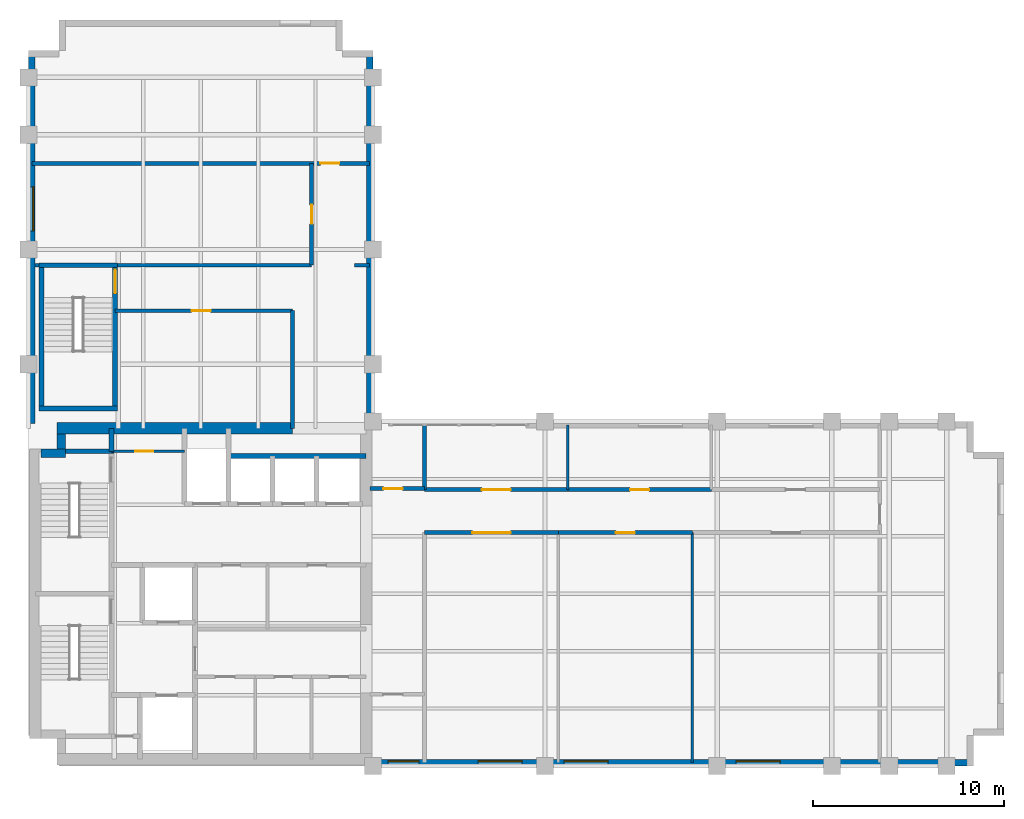
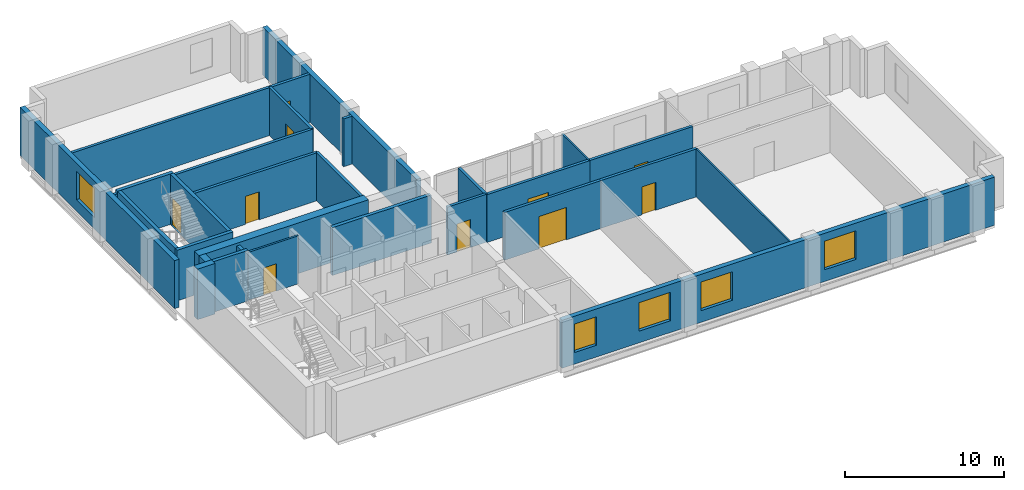
# One storey, part 5 of 7: 29 walls, 10 doors, 5 windows, 15 openings.
"""IFC4 building model written with IfcOpenShell, lengths in metres."""

import ifcopenshell
import ifcopenshell.guid

model = None  # the IFC model being written
_history = None  # IfcOwnerHistory: only IFC2X3 demands one
_inside = {}  # id of a spatial element -> (the spatial element, [elements in it])
_under = {}  # id of a project, library or spatial element -> (it, [spatial elements below it])
_declared = {}  # id of a project -> (the project, [libraries it declares])
_typed = {}  # id of a type object -> (the type object, [elements of that type])
_made_of = {}  # id of a material, layer set ... -> (it, [elements and type objects made of it])


def new_model(schema):
    """Start an empty IFC model of exactly this schema.

    Asked for "IFC4X3", IfcOpenShell would pick the latest addendum, in which some entities
    have other attributes; the version numbers below select the first issue.
    IFC2X3 requires an IfcOwnerHistory on every rooted entity: one is made here for all.
    """
    global model, _history
    if schema == "IFC4X3":
        model = ifcopenshell.file(schema_version=(4, 3, 0, 0))
    else:
        model = ifcopenshell.file(schema=schema)
    _inside.clear()
    _under.clear()
    _declared.clear()
    _typed.clear()
    _made_of.clear()
    _history = None
    if model.schema == "IFC2X3":
        org = make("IfcOrganization", Name="unknown")
        user = make(
            "IfcPersonAndOrganization",
            ThePerson=make("IfcPerson", FamilyName="unknown"),
            TheOrganization=org,
        )
        app = make(
            "IfcApplication",
            ApplicationDeveloper=org,
            Version="unknown",
            ApplicationFullName="unknown",
            ApplicationIdentifier="unknown",
        )
        _history = make(
            "IfcOwnerHistory",
            OwningUser=user,
            OwningApplication=app,
            ChangeAction="ADDED",
            CreationDate=0,
        )
    return model


def make(cls, **values):
    """One entity of the class cls with the attributes given. An attribute that is None is left unset."""
    return model.create_entity(
        cls, **{name: value for name, value in values.items() if value is not None}
    )


def rooted(cls, **values):
    """An entity with a GlobalId (a new one), such as an element, a storey or a relation."""
    return make(cls, GlobalId=ifcopenshell.guid.new(), OwnerHistory=_history, **values)


def si_unit(unit_type, name, prefix=None):
    """IfcSIUnit, for example si_unit("LENGTHUNIT", "METRE", prefix="MILLI")."""
    return make("IfcSIUnit", UnitType=unit_type, Prefix=prefix, Name=name)


def assignment(units):
    """IfcUnitAssignment: the units of a project."""
    return None if units is None else make("IfcUnitAssignment", Units=units)


def point(xyz):
    """IfcCartesianPoint."""
    return None if xyz is None else make("IfcCartesianPoint", Coordinates=xyz)


def direction(xyz):
    """IfcDirection."""
    return None if xyz is None else make("IfcDirection", DirectionRatios=xyz)


def frame(location, z_axis=None, x_axis=None):
    """IfcAxis2Placement3D, a coordinate frame: its origin and axes. An axis left out is left unset."""
    return make(
        "IfcAxis2Placement3D",
        Location=point(location),
        Axis=direction(z_axis),
        RefDirection=direction(x_axis),
    )


def frame_2d(location, x_axis=None):
    """IfcAxis2Placement2D, a coordinate frame in the plane: its origin and x axis."""
    return make(
        "IfcAxis2Placement2D", Location=point(location), RefDirection=direction(x_axis)
    )


def origin():
    """The frame at (0, 0, 0) with its axes left unset."""
    return frame((0.0, 0.0, 0.0))


def place(relative_to, where):
    """IfcLocalPlacement: puts the frame where relative to a parent placement (None: the world)."""
    return make(
        "IfcLocalPlacement", PlacementRelTo=relative_to, RelativePlacement=where
    )


def context(
    kind, dimensions, precision=None, world=None, true_north=None, identifier=None
):
    """IfcGeometricRepresentationContext, for example the 3D "Model" context."""
    return make(
        "IfcGeometricRepresentationContext",
        ContextIdentifier=identifier,
        ContextType=kind,
        CoordinateSpaceDimension=dimensions,
        Precision=precision,
        WorldCoordinateSystem=world,
        TrueNorth=true_north,
    )


def subcontext(parent, identifier, kind, view, scale=None):
    """IfcGeometricRepresentationSubContext, for example "Body" below "Model"."""
    return make(
        "IfcGeometricRepresentationSubContext",
        ContextIdentifier=identifier,
        ContextType=kind,
        ParentContext=parent,
        TargetScale=scale,
        TargetView=view,
    )


def project(units=None, contexts=None):
    """IfcProject with its units and contexts."""
    return rooted(
        "IfcProject",
        Name="project",
        RepresentationContexts=contexts,
        UnitsInContext=assignment(units),
    )


def spatial(cls, under=None, at=None, **own):
    """A site, building, storey or space (cls), placed at a placement, below another one or the project."""
    s = rooted(cls, ObjectPlacement=at, **own)
    if under is not None:
        _under.setdefault(under.id(), (under, []))[1].append(s)
    return s


def profile(cls, at=None, kind="AREA", **sizes):
    """A parametric profile (cls). Its sizes go by their IFC names, for example OverallWidth=200.0."""
    return make(cls, ProfileType=kind, Position=at, **sizes)


def rectangle(**sizes):
    """IfcRectangleProfileDef."""
    return profile("IfcRectangleProfileDef", **sizes)


def extrude(swept, where, along, depth):
    """IfcExtrudedAreaSolid: the profile swept, set in the frame where, extruded along a direction by depth."""
    return make(
        "IfcExtrudedAreaSolid",
        SweptArea=swept,
        Position=where,
        ExtrudedDirection=direction(along),
        Depth=depth,
    )


def shape(context_of_items, identifier, shape_type, items):
    """IfcShapeRepresentation: the items that make up one representation, for example the "Body"."""
    return make(
        "IfcShapeRepresentation",
        ContextOfItems=context_of_items,
        RepresentationIdentifier=identifier,
        RepresentationType=shape_type,
        Items=items,
    )


def material(Name=None, Category=None):
    """IfcMaterial."""
    return make("IfcMaterial", Name=Name, Category=Category)


def layer(
    of_material, thickness, ventilated=None, Name=None, Category=None, Priority=None
):
    """IfcMaterialLayer: one layer of a wall or slab, of a material (None: an air gap)."""
    return make(
        "IfcMaterialLayer",
        Material=of_material,
        LayerThickness=thickness,
        IsVentilated=ventilated,
        Name=Name,
        Category=Category,
        Priority=Priority,
    )


def layer_set(layers, Name=None):
    """IfcMaterialLayerSet."""
    return make("IfcMaterialLayerSet", MaterialLayers=layers, LayerSetName=Name)


def made_of(thing, what):
    """Note that an element or type object is made of a material, layer set ...; save() writes the relation."""
    if what is not None:
        _made_of.setdefault(what.id(), (what, []))[1].append(thing)
    return thing


def type_object(cls, material=None, **own):
    """A type object (cls), such as IfcWallType, which elements share."""
    return made_of(rooted(cls, **own), material)


def element(
    cls,
    number,
    at=None,
    inside=None,
    cuts=None,
    type_object=None,
    material=None,
    context=None,
    identifier="Body",
    shape_type=None,
    held_by="IfcProductDefinitionShape",
    body=None,
    shapes=None,
    **own,
):
    """One element of the class cls, such as IfcWall. Its Tag is "e" and its number.

    at: its placement. inside: the storey or other place that contains it. cuts: it is an
    opening in that element (IfcRelVoidsElement). A single representation is given by context,
    identifier, shape_type and body (its items); several are given by shapes. held_by: the class
    of the entity that holds the representations. save() writes the other relations.
    """
    e = rooted(cls, Tag="e%d" % number, ObjectPlacement=at, **own)
    if body is not None:
        shapes = [shape(context, identifier, shape_type, body)]
    if shapes is not None:
        e.Representation = make(held_by, Representations=shapes)
    if inside is not None:
        _inside.setdefault(inside.id(), (inside, []))[1].append(e)
    if cuts is not None:
        rooted(
            "IfcRelVoidsElement", RelatingBuildingElement=cuts, RelatedOpeningElement=e
        )
    if type_object is not None:
        _typed.setdefault(type_object.id(), (type_object, []))[1].append(e)
    return made_of(e, material)


def fill(opening, filler):
    """IfcRelFillsElement: the door or window that sits in an opening."""
    return rooted(
        "IfcRelFillsElement",
        RelatingOpeningElement=opening,
        RelatedBuildingElement=filler,
    )


def aggregate(whole, parts):
    """IfcRelAggregates: a whole, such as a stair, and the parts it consists of."""
    return rooted("IfcRelAggregates", RelatingObject=whole, RelatedObjects=parts)


def save(model, path):
    """Write the relations noted so far, then the file.

    IfcRelAggregates (storeys below a building ...), IfcRelContainedInSpatialStructure (elements
    in a storey), IfcRelDefinesByType, IfcRelAssociatesMaterial and IfcRelDeclares: one each for
    every whole, place, type object, material and project.
    """
    for whole, parts in _under.values():
        aggregate(whole, parts)
    for where, things in _inside.values():
        rooted(
            "IfcRelContainedInSpatialStructure",
            RelatedElements=things,
            RelatingStructure=where,
        )
    for kind, things in _typed.values():
        rooted("IfcRelDefinesByType", RelatedObjects=things, RelatingType=kind)
    for what, things in _made_of.values():
        rooted("IfcRelAssociatesMaterial", RelatedObjects=things, RelatingMaterial=what)
    for by, libraries in _declared.values():
        rooted("IfcRelDeclares", RelatingContext=by, RelatedDefinitions=libraries)
    model.write(path)


model = new_model("IFC4")

# Units and contexts
model_context = context("Model", 3, precision=1e-05, world=origin(), true_north=direction((0.0, 1.0)))
body_context = subcontext(model_context, "Body", "Model", "MODEL_VIEW")
ifc_project = project(units=[si_unit("LENGTHUNIT", "METRE"), si_unit("AREAUNIT", "SQUARE_METRE"), si_unit("VOLUMEUNIT", "CUBIC_METRE"), si_unit("PLANEANGLEUNIT", "RADIAN"), si_unit("MASSUNIT", "GRAM", prefix="KILO")], contexts=[model_context])

# Site, building, storey
site_placement = place(None, origin())
site = spatial("IfcSite", under=ifc_project, at=site_placement, CompositionType="ELEMENT")
building_placement = place(site_placement, origin())
building = spatial("IfcBuilding", under=site, at=building_placement, Name="Mawjdan Bourse Tower", CompositionType="ELEMENT")
storey_placement = place(building_placement, frame((0.0, 0.0, 203.39990234375)))
storey = spatial("IfcBuildingStorey", under=building, at=storey_placement, Name="L49", CompositionType="ELEMENT", Elevation=203.39990234375)

# Wall, openings, windows
ifc_material_1 = material(Name="Brick Masonry Buff", Category="masonry")
ifc_layer_1 = layer(ifc_material_1, 0.340087890625)
ifc_layer_set_1 = layer_set([ifc_layer_1], Name="Brick Masonry Buff")
wall_type_1 = type_object("IfcWallType", Name="WL-BRK-SPN-340", PredefinedType="STANDARD", material=ifc_layer_set_1)
wall_1_placement = place(storey_placement, frame((23.89990234375, 3.169921875, 0.0), z_axis=(0.0, 0.0, 1.0), x_axis=(1.0, 0.0, 0.0)))
wall_1 = element("IfcWall", 1, at=wall_1_placement, inside=storey, type_object=wall_type_1, Name="L49 Exterior Brick Wall 1", PredefinedType="STANDARD", context=body_context, shape_type="SweptSolid", body=[
    extrude(rectangle(XDim=31.5, YDim=0.340087890625, at=frame_2d((15.75, 0.0))), origin(), (0.0, 0.0, 1.0), 3.7001953125),
])
opening_1_placement = place(wall_1_placement, frame((5.60009765625, 0.0, 0.89990234375)))
opening_1 = element("IfcOpeningElement", 2, at=opening_1_placement, cuts=wall_1, Name="Opening W-L49-01", PredefinedType="OPENING", context=body_context, shape_type="SweptSolid", body=[
    extrude(rectangle(XDim=2.300048828125, YDim=2.199951171875, at=frame_2d((1.14990234375, 1.10009765625))), frame((0.0, 0.18017578125, 0.0), z_axis=(0.0, -1.0, 0.0), x_axis=(1.0, 0.0, 0.0)), (0.0, 0.0, 1.0), 0.360107421875),
])
opening_2_placement = place(wall_1_placement, frame((10.10009765625, 0.0, 0.89990234375)))
opening_2 = element("IfcOpeningElement", 3, at=opening_2_placement, cuts=wall_1, Name="Opening W-L49-02", PredefinedType="OPENING", context=body_context, shape_type="SweptSolid", body=[
    extrude(rectangle(XDim=2.300048828125, YDim=2.199951171875, at=frame_2d((1.14990234375, 1.10009765625))), frame((0.0, 0.18017578125, 0.0), z_axis=(0.0, -1.0, 0.0), x_axis=(1.0, 0.0, 0.0)), (0.0, 0.0, 1.0), 0.360107421875),
])
opening_3_placement = place(wall_1_placement, frame((19.10009765625, 0.0, 0.89990234375)))
opening_3 = element("IfcOpeningElement", 4, at=opening_3_placement, cuts=wall_1, Name="Opening W-L49-03", PredefinedType="OPENING", context=body_context, shape_type="SweptSolid", body=[
    extrude(rectangle(XDim=2.300048828125, YDim=2.199951171875, at=frame_2d((1.14990234375, 1.10009765625))), frame((0.0, 0.18017578125, 0.0), z_axis=(0.0, -1.0, 0.0), x_axis=(1.0, 0.0, 0.0)), (0.0, 0.0, 1.0), 0.360107421875),
])
opening_4_placement = place(wall_1_placement, frame((0.89990234375, 0.0, 0.89990234375)))
opening_4 = element("IfcOpeningElement", 5, at=opening_4_placement, cuts=wall_1, Name="Opening W-L49-08", PredefinedType="OPENING", context=body_context, shape_type="SweptSolid", body=[
    extrude(rectangle(XDim=1.60009765625, YDim=2.199951171875, at=frame_2d((0.800048828125, 1.10009765625))), frame((0.0, 0.18017578125, 0.0), z_axis=(0.0, -1.0, 0.0), x_axis=(1.0, 0.0, 0.0)), (0.0, 0.0, 1.0), 0.360107421875),
])
ifc_material_2 = material(Name="Solar-Control Clear Double Glazing", Category="glass")
window_type_1 = type_object("IfcWindowType", Name="WN-Z3-1600", PartitioningType="SINGLE_PANEL", PredefinedType="WINDOW", material=ifc_material_2)
window_1_placement = place(opening_4_placement, origin())
window_1 = element("IfcWindow", 6, at=window_1_placement, inside=storey, type_object=window_type_1, Name="L49 Deep-Set Masonry Window W-L49-08", OverallHeight=2.199951171875, OverallWidth=1.60009765625, PartitioningType="SINGLE_PANEL", PredefinedType="WINDOW", context=body_context, shape_type="SweptSolid", body=[
    extrude(rectangle(XDim=1.60009765625, YDim=2.199951171875, at=frame_2d((0.800048828125, 1.10009765625))), frame((0.0, 0.110107421875, 0.0), z_axis=(0.0, -1.0, 0.0), x_axis=(1.0, 0.0, 0.0)), (0.0, 0.0, 1.0), 0.06005859375),
])
fill(opening_4, window_1)
window_type_2 = type_object("IfcWindowType", Name="WN-Z3-2300", PartitioningType="SINGLE_PANEL", PredefinedType="WINDOW", material=ifc_material_2)
window_2_placement = place(opening_1_placement, origin())
window_2 = element("IfcWindow", 7, at=window_2_placement, inside=storey, type_object=window_type_2, Name="L49 Deep-Set Masonry Window W-L49-01", OverallHeight=2.199951171875, OverallWidth=2.300048828125, PartitioningType="SINGLE_PANEL", PredefinedType="WINDOW", context=body_context, shape_type="SweptSolid", body=[
    extrude(rectangle(XDim=2.300048828125, YDim=2.199951171875, at=frame_2d((1.14990234375, 1.10009765625))), frame((0.0, 0.110107421875, 0.0), z_axis=(0.0, -1.0, 0.0), x_axis=(1.0, 0.0, 0.0)), (0.0, 0.0, 1.0), 0.06005859375),
])
fill(opening_1, window_2)
window_3_placement = place(opening_2_placement, origin())
window_3 = element("IfcWindow", 8, at=window_3_placement, inside=storey, type_object=window_type_2, Name="L49 Deep-Set Masonry Window W-L49-02", OverallHeight=2.199951171875, OverallWidth=2.300048828125, PartitioningType="SINGLE_PANEL", PredefinedType="WINDOW", context=body_context, shape_type="SweptSolid", body=[
    extrude(rectangle(XDim=2.300048828125, YDim=2.199951171875, at=frame_2d((1.14990234375, 1.10009765625))), frame((0.0, 0.110107421875, 0.0), z_axis=(0.0, -1.0, 0.0), x_axis=(1.0, 0.0, 0.0)), (0.0, 0.0, 1.0), 0.06005859375),
])
fill(opening_2, window_3)
window_4_placement = place(opening_3_placement, origin())
window_4 = element("IfcWindow", 9, at=window_4_placement, inside=storey, type_object=window_type_2, Name="L49 Deep-Set Masonry Window W-L49-03", OverallHeight=2.199951171875, OverallWidth=2.300048828125, PartitioningType="SINGLE_PANEL", PredefinedType="WINDOW", context=body_context, shape_type="SweptSolid", body=[
    extrude(rectangle(XDim=2.300048828125, YDim=2.199951171875, at=frame_2d((1.14990234375, 1.10009765625))), frame((0.0, 0.110107421875, 0.0), z_axis=(0.0, -1.0, 0.0), x_axis=(1.0, 0.0, 0.0)), (0.0, 0.0, 1.0), 0.06005859375),
])
fill(opening_3, window_4)

# Wall
wall_2_placement = place(storey_placement, frame((23.830078125, 21.0, 0.0), z_axis=(0.0, 0.0, 1.0), x_axis=(0.0, 1.0, 0.0)))
element("IfcWall", 10, at=wall_2_placement, inside=storey, type_object=wall_type_1, Name="L49 Exterior Brick Wall 8", PredefinedType="STANDARD", context=body_context, shape_type="SweptSolid", body=[
    extrude(rectangle(XDim=19.39990234375, YDim=0.340087890625, at=frame_2d((9.699951171875, 0.0))), origin(), (0.0, 0.0, 1.0), 3.7001953125),
])

# Wall, opening, window
wall_3_placement = place(storey_placement, frame((6.169921875, 40.39990234375, 0.0), z_axis=(0.0, 0.0, 1.0), x_axis=(0.0, -1.0, 0.0)))
wall_3 = element("IfcWall", 11, at=wall_3_placement, inside=storey, type_object=wall_type_1, Name="L49 Exterior Brick Wall 14", PredefinedType="STANDARD", context=body_context, shape_type="SweptSolid", body=[
    extrude(rectangle(XDim=19.5, YDim=0.340087890625, at=frame_2d((9.75, 0.0))), origin(), (0.0, 0.0, 1.0), 3.7001953125),
])
opening_5_placement = place(wall_3_placement, frame((7.124755859375, 0.0, 0.89990234375)))
opening_5 = element("IfcOpeningElement", 12, at=opening_5_placement, cuts=wall_3, Name="Opening W-L49-10", PredefinedType="OPENING", context=body_context, shape_type="SweptSolid", body=[
    extrude(rectangle(XDim=2.300048828125, YDim=2.199951171875, at=frame_2d((1.14990234375, 1.10009765625))), frame((0.0, 0.18017578125, 0.0), z_axis=(0.0, -1.0, 0.0), x_axis=(1.0, 0.0, 0.0)), (0.0, 0.0, 1.0), 0.360107421875),
])
window_5_placement = place(opening_5_placement, origin())
window_5 = element("IfcWindow", 13, at=window_5_placement, inside=storey, type_object=window_type_2, Name="L49 Deep-Set Masonry Window W-L49-10", OverallHeight=2.199951171875, OverallWidth=2.300048828125, PartitioningType="SINGLE_PANEL", PredefinedType="WINDOW", context=body_context, shape_type="SweptSolid", body=[
    extrude(rectangle(XDim=2.300048828125, YDim=2.199951171875, at=frame_2d((1.14990234375, 1.10009765625))), frame((0.0, 0.110107421875, 0.0), z_axis=(0.0, -1.0, 0.0), x_axis=(1.0, 0.0, 0.0)), (0.0, 0.0, 1.0), 0.06005859375),
])
fill(opening_5, window_5)

# Wall, opening, door
ifc_material_3 = material(Name="Gypsum Fireboard Assembly")
ifc_layer_2 = layer(ifc_material_3, 0.199951171875)
ifc_layer_set_2 = layer_set([ifc_layer_2], Name="Gypsum Fireboard Assembly")
wall_type_2 = type_object("IfcWallType", Name="WL-CMP-200", PredefinedType="PARTITIONING", material=ifc_layer_set_2)
wall_4_placement = place(storey_placement, frame((23.85009765625, 17.5, 0.0), z_axis=(0.0, 0.0, 1.0), x_axis=(1.0, 0.0, 0.0)))
wall_4 = element("IfcWall", 14, at=wall_4_placement, inside=storey, type_object=wall_type_2, Name="L49 West North Pocket Wall", PredefinedType="PARTITIONING", context=body_context, shape_type="SweptSolid", body=[
    extrude(rectangle(XDim=2.849853515625, YDim=0.199951171875, at=frame_2d((1.4248046875, 0.0))), origin(), (0.0, 0.0, 1.0), 3.690185546875),
])
opening_6_placement = place(wall_4_placement, frame((0.699951171875, 0.0, 0.0)))
opening_6 = element("IfcOpeningElement", 15, at=opening_6_placement, cuts=wall_4, Name="Opening D-L49-21", PredefinedType="OPENING", context=body_context, shape_type="SweptSolid", body=[
    extrude(rectangle(XDim=1.0, YDim=2.14990234375, at=frame_2d((0.5, 1.074951171875))), frame((0.0, 0.10986328125, 0.0), z_axis=(0.0, -1.0, 0.0), x_axis=(1.0, 0.0, 0.0)), (0.0, 0.0, 1.0), 0.219970703125),
])
ifc_material_4 = material(Name="Hardwood Acoustic Leaf", Category="wood")
door_type_1 = type_object("IfcDoorType", Name="DR-OFC-1000", OperationType="NOTDEFINED", PredefinedType="DOOR", material=ifc_material_4)
door_1_placement = place(opening_6_placement, origin())
door_1 = element("IfcDoor", 16, at=door_1_placement, inside=storey, type_object=door_type_1, Name="L49 West North Pocket Door D-L49-21", OperationType="SINGLE_SWING_RIGHT", OverallHeight=2.14990234375, OverallWidth=1.0, PredefinedType="DOOR", context=body_context, shape_type="SweptSolid", body=[
    extrude(rectangle(XDim=1.0, YDim=2.14990234375, at=frame_2d((0.5, 1.074951171875))), frame((0.0, 0.02490234375, 0.0), z_axis=(0.0, -1.0, 0.0), x_axis=(1.0, 0.0, 0.0)), (0.0, 0.0, 1.0), 0.050048828125),
])
fill(opening_6, door_1)

# Wall
wall_5_placement = place(storey_placement, frame((26.699951171875, 17.449951171875, 0.0), z_axis=(0.0, 0.0, 1.0), x_axis=(0.0, 1.0, 0.0)))
element("IfcWall", 17, at=wall_5_placement, inside=storey, type_object=wall_type_2, Name="L49 Vestibule North East Wall", PredefinedType="PARTITIONING", context=body_context, shape_type="SweptSolid", body=[
    extrude(rectangle(XDim=3.3701171875, YDim=0.199951171875, at=frame_2d((1.68505859375, 0.0))), origin(), (0.0, 0.0, 1.0), 3.690185546875),
])

# Wall, opening, door
wall_6_placement = place(storey_placement, frame((26.699951171875, 15.199951171875, 0.0), z_axis=(0.0, 0.0, 1.0), x_axis=(1.0, 0.0, 0.0)))
wall_6 = element("IfcWall", 18, at=wall_6_placement, inside=storey, type_object=wall_type_2, Name="L49 Maritime & Energy Funds Hall Corridor Wall", PredefinedType="PARTITIONING", context=body_context, shape_type="SweptSolid", body=[
    extrude(rectangle(XDim=7.0, YDim=0.199951171875, at=frame_2d((3.5, 0.0))), origin(), (0.0, 0.0, 1.0), 3.690185546875),
])
opening_7_placement = place(wall_6_placement, frame((2.5, 0.0, 0.0)))
opening_7 = element("IfcOpeningElement", 19, at=opening_7_placement, cuts=wall_6, Name="Opening D-L49-22", PredefinedType="OPENING", context=body_context, shape_type="SweptSolid", body=[
    extrude(rectangle(XDim=2.0, YDim=2.5, at=frame_2d((1.0, 1.25))), frame((0.0, 0.10986328125, 0.0), z_axis=(0.0, -1.0, 0.0), x_axis=(1.0, 0.0, 0.0)), (0.0, 0.0, 1.0), 0.219970703125),
])
ifc_material_5 = material(Name="Acoustic Veneered Timber", Category="wood")
door_type_2 = type_object("IfcDoorType", Name="DR-ASM-2000", OperationType="DOUBLE_DOOR_SINGLE_SWING", PredefinedType="DOOR", material=ifc_material_5)
door_2_placement = place(opening_7_placement, origin())
door_2 = element("IfcDoor", 20, at=door_2_placement, inside=storey, type_object=door_type_2, Name="L49 Maritime & Energy Funds Hall Door D-L49-22", OperationType="DOUBLE_DOOR_SINGLE_SWING", OverallHeight=2.5, OverallWidth=2.0, PredefinedType="DOOR", context=body_context, shape_type="SweptSolid", body=[
    extrude(rectangle(XDim=2.0, YDim=2.5, at=frame_2d((1.0, 1.25))), frame((0.0, 0.02490234375, 0.0), z_axis=(0.0, -1.0, 0.0), x_axis=(1.0, 0.0, 0.0)), (0.0, 0.0, 1.0), 0.050048828125),
])
fill(opening_7, door_2)

wall_7_placement = place(storey_placement, frame((33.699951171875, 15.199951171875, 0.0), z_axis=(0.0, 0.0, 1.0), x_axis=(1.0, 0.0, 0.0)))
wall_7 = element("IfcWall", 21, at=wall_7_placement, inside=storey, type_object=wall_type_2, Name="L49 Executive Office Corridor Wall", PredefinedType="PARTITIONING", context=body_context, shape_type="SweptSolid", body=[
    extrude(rectangle(XDim=7.0, YDim=0.199951171875, at=frame_2d((3.5, 0.0))), origin(), (0.0, 0.0, 1.0), 3.690185546875),
])
opening_8_placement = place(wall_7_placement, frame((3.0, 0.0, 0.0)))
opening_8 = element("IfcOpeningElement", 22, at=opening_8_placement, cuts=wall_7, Name="Opening D-L49-23", PredefinedType="OPENING", context=body_context, shape_type="SweptSolid", body=[
    extrude(rectangle(XDim=1.0, YDim=2.14990234375, at=frame_2d((0.5, 1.074951171875))), frame((0.0, 0.10986328125, 0.0), z_axis=(0.0, -1.0, 0.0), x_axis=(1.0, 0.0, 0.0)), (0.0, 0.0, 1.0), 0.219970703125),
])
door_3_placement = place(opening_8_placement, origin())
door_3 = element("IfcDoor", 23, at=door_3_placement, inside=storey, type_object=door_type_1, Name="L49 Executive Office Door D-L49-23", OperationType="SINGLE_SWING_LEFT", OverallHeight=2.14990234375, OverallWidth=1.0, PredefinedType="DOOR", context=body_context, shape_type="SweptSolid", body=[
    extrude(rectangle(XDim=1.0, YDim=2.14990234375, at=frame_2d((0.5, 1.074951171875))), frame((0.0, 0.02490234375, 0.0), z_axis=(0.0, -1.0, 0.0), x_axis=(1.0, 0.0, 0.0)), (0.0, 0.0, 1.0), 0.050048828125),
])
fill(opening_8, door_3)

wall_8_placement = place(storey_placement, frame((26.699951171875, 17.449951171875, 0.0), z_axis=(0.0, 0.0, 1.0), x_axis=(1.0, 0.0, 0.0)))
wall_8 = element("IfcWall", 24, at=wall_8_placement, inside=storey, type_object=wall_type_2, Name="L49 Conference Room Corridor Wall", PredefinedType="PARTITIONING", context=body_context, shape_type="SweptSolid", body=[
    extrude(rectangle(XDim=7.5, YDim=0.199951171875, at=frame_2d((3.75, 0.0))), origin(), (0.0, 0.0, 1.0), 3.690185546875),
])
opening_9_placement = place(wall_8_placement, frame((3.0, 0.0, 0.0)))
opening_9 = element("IfcOpeningElement", 25, at=opening_9_placement, cuts=wall_8, Name="Opening D-L49-25", PredefinedType="OPENING", context=body_context, shape_type="SweptSolid", body=[
    extrude(rectangle(XDim=1.5, YDim=2.300048828125, at=frame_2d((0.75, 1.14990234375))), frame((0.0, 0.10986328125, 0.0), z_axis=(0.0, -1.0, 0.0), x_axis=(1.0, 0.0, 0.0)), (0.0, 0.0, 1.0), 0.219970703125),
])
ifc_material_6 = material(Name="Acoustic Glazed Timber", Category="wood")
door_type_3 = type_object("IfcDoorType", Name="DR-CNF-1500", OperationType="DOUBLE_DOOR_SINGLE_SWING", PredefinedType="DOOR", material=ifc_material_6)
door_4_placement = place(opening_9_placement, origin())
door_4 = element("IfcDoor", 26, at=door_4_placement, inside=storey, type_object=door_type_3, Name="L49 Conference Room Door D-L49-25", OperationType="DOUBLE_DOOR_SINGLE_SWING", OverallHeight=2.300048828125, OverallWidth=1.5, PredefinedType="DOOR", context=body_context, shape_type="SweptSolid", body=[
    extrude(rectangle(XDim=1.5, YDim=2.300048828125, at=frame_2d((0.75, 1.14990234375))), frame((0.0, 0.02490234375, 0.0), z_axis=(0.0, -1.0, 0.0), x_axis=(1.0, 0.0, 0.0)), (0.0, 0.0, 1.0), 0.050048828125),
])
fill(opening_9, door_4)

wall_9_placement = place(storey_placement, frame((34.199951171875, 17.449951171875, 0.0), z_axis=(0.0, 0.0, 1.0), x_axis=(1.0, 0.0, 0.0)))
wall_9 = element("IfcWall", 27, at=wall_9_placement, inside=storey, type_object=wall_type_2, Name="L49 ESG Research Library Corridor Wall", PredefinedType="PARTITIONING", context=body_context, shape_type="SweptSolid", body=[
    extrude(rectangle(XDim=7.5, YDim=0.199951171875, at=frame_2d((3.75, 0.0))), origin(), (0.0, 0.0, 1.0), 3.690185546875),
])
opening_10_placement = place(wall_9_placement, frame((3.25, 0.0, 0.0)))
opening_10 = element("IfcOpeningElement", 28, at=opening_10_placement, cuts=wall_9, Name="Opening D-L49-26", PredefinedType="OPENING", context=body_context, shape_type="SweptSolid", body=[
    extrude(rectangle(XDim=1.0, YDim=2.14990234375, at=frame_2d((0.5, 1.074951171875))), frame((0.0, 0.10986328125, 0.0), z_axis=(0.0, -1.0, 0.0), x_axis=(1.0, 0.0, 0.0)), (0.0, 0.0, 1.0), 0.219970703125),
])
door_5_placement = place(opening_10_placement, origin())
door_5 = element("IfcDoor", 29, at=door_5_placement, inside=storey, type_object=door_type_1, Name="L49 ESG Research Library Door D-L49-26", OperationType="SINGLE_SWING_RIGHT", OverallHeight=2.14990234375, OverallWidth=1.0, PredefinedType="DOOR", context=body_context, shape_type="SweptSolid", body=[
    extrude(rectangle(XDim=1.0, YDim=2.14990234375, at=frame_2d((0.5, 1.074951171875))), frame((0.0, 0.02490234375, 0.0), z_axis=(0.0, -1.0, 0.0), x_axis=(1.0, 0.0, 0.0)), (0.0, 0.0, 1.0), 0.050048828125),
])
fill(opening_10, door_5)

wall_10_placement = place(storey_placement, frame((10.52001953125, 26.800048828125, 0.0), z_axis=(0.0, 0.0, 1.0), x_axis=(1.0, 0.0, 0.0)))
wall_10 = element("IfcWall", 30, at=wall_10_placement, inside=storey, type_object=wall_type_2, Name="L49 North Throat North Wall", PredefinedType="PARTITIONING", context=body_context, shape_type="SweptSolid", body=[
    extrude(rectangle(XDim=9.280029296875, YDim=0.199951171875, at=frame_2d((4.64013671875, 0.0))), origin(), (0.0, 0.0, 1.0), 3.690185546875),
])
opening_11_placement = place(wall_10_placement, frame((4.0, 0.0, 0.0)))
opening_11 = element("IfcOpeningElement", 31, at=opening_11_placement, cuts=wall_10, Name="Opening D-L49-29", PredefinedType="OPENING", context=body_context, shape_type="SweptSolid", body=[
    extrude(rectangle(XDim=1.0, YDim=2.14990234375, at=frame_2d((0.5, 1.074951171875))), frame((0.0, 0.10986328125, 0.0), z_axis=(0.0, -1.0, 0.0), x_axis=(1.0, 0.0, 0.0)), (0.0, 0.0, 1.0), 0.219970703125),
])
door_6_placement = place(opening_11_placement, origin())
door_6 = element("IfcDoor", 32, at=door_6_placement, inside=storey, type_object=door_type_1, Name="L49 North Throat Suite Door D-L49-29", OperationType="SINGLE_SWING_LEFT", OverallHeight=2.14990234375, OverallWidth=1.0, PredefinedType="DOOR", context=body_context, shape_type="SweptSolid", body=[
    extrude(rectangle(XDim=1.0, YDim=2.14990234375, at=frame_2d((0.5, 1.074951171875))), frame((0.0, 0.02490234375, 0.0), z_axis=(0.0, -1.0, 0.0), x_axis=(1.0, 0.0, 0.0)), (0.0, 0.0, 1.0), 0.050048828125),
])
fill(opening_11, door_6)

# Walls
wall_11_placement = place(storey_placement, frame((19.800048828125, 20.64990234375, 0.0), z_axis=(0.0, 0.0, 1.0), x_axis=(0.0, 1.0, 0.0)))
element("IfcWall", 33, at=wall_11_placement, inside=storey, type_object=wall_type_2, Name="L49 North Throat East Wall", PredefinedType="PARTITIONING", context=body_context, shape_type="SweptSolid", body=[
    extrude(rectangle(XDim=6.150146484375, YDim=0.199951171875, at=frame_2d((3.0751953125, 0.0))), origin(), (0.0, 0.0, 1.0), 3.690185546875),
])
wall_12_placement = place(storey_placement, frame((6.340087890625, 29.179931640625, 0.0), z_axis=(0.0, 0.0, 1.0), x_axis=(1.0, 0.0, 0.0)))
element("IfcWall", 34, at=wall_12_placement, inside=storey, type_object=wall_type_2, Name="L49 North West Band ST3 West Return", PredefinedType="PARTITIONING", context=body_context, shape_type="SweptSolid", body=[
    extrude(rectangle(XDim=0.21484375, YDim=0.199951171875, at=frame_2d((0.107421875, 0.0))), origin(), (0.0, 0.0, 1.0), 3.690185546875),
])
wall_13_placement = place(storey_placement, frame((10.6298828125, 29.179931640625, 0.0), z_axis=(0.0, 0.0, 1.0), x_axis=(1.0, 0.0, 0.0)))
element("IfcWall", 35, at=wall_13_placement, inside=storey, type_object=wall_type_2, Name="L49 North West Band South Wall", PredefinedType="PARTITIONING", context=body_context, shape_type="SweptSolid", body=[
    extrude(rectangle(XDim=10.170166015625, YDim=0.199951171875, at=frame_2d((5.0849609375, 0.0))), origin(), (0.0, 0.0, 1.0), 3.690185546875),
])
wall_14_placement = place(storey_placement, frame((23.050048828125, 29.179931640625, 0.0), z_axis=(0.0, 0.0, 1.0), x_axis=(1.0, 0.0, 0.0)))
element("IfcWall", 36, at=wall_14_placement, inside=storey, type_object=wall_type_2, Name="L49 North East Band South Wall", PredefinedType="PARTITIONING", context=body_context, shape_type="SweptSolid", body=[
    extrude(rectangle(XDim=0.77001953125, YDim=0.199951171875, at=frame_2d((0.385009765625, 0.0))), origin(), (0.0, 0.0, 1.0), 3.690185546875),
])

# Wall, opening, door
wall_15_placement = place(storey_placement, frame((20.800048828125, 29.179931640625, 0.0), z_axis=(0.0, 0.0, 1.0), x_axis=(0.0, 1.0, 0.0)))
wall_15 = element("IfcWall", 37, at=wall_15_placement, inside=storey, type_object=wall_type_2, Name="L49 Executive Office Corridor Wall", PredefinedType="PARTITIONING", context=body_context, shape_type="SweptSolid", body=[
    extrude(rectangle(XDim=5.320068359375, YDim=0.199951171875, at=frame_2d((2.66015625, 0.0))), origin(), (0.0, 0.0, 1.0), 3.690185546875),
])
opening_12_placement = place(wall_15_placement, frame((2.159912109375, 0.0, 0.0)))
opening_12 = element("IfcOpeningElement", 38, at=opening_12_placement, cuts=wall_15, Name="Opening D-L49-30", PredefinedType="OPENING", context=body_context, shape_type="SweptSolid", body=[
    extrude(rectangle(XDim=1.0, YDim=2.14990234375, at=frame_2d((0.5, 1.074951171875))), frame((0.0, 0.10986328125, 0.0), z_axis=(0.0, -1.0, 0.0), x_axis=(1.0, 0.0, 0.0)), (0.0, 0.0, 1.0), 0.219970703125),
])
door_7_placement = place(opening_12_placement, origin())
door_7 = element("IfcDoor", 39, at=door_7_placement, inside=storey, type_object=door_type_1, Name="L49 Executive Office Door D-L49-30", OperationType="SINGLE_SWING_RIGHT", OverallHeight=2.14990234375, OverallWidth=1.0, PredefinedType="DOOR", context=body_context, shape_type="SweptSolid", body=[
    extrude(rectangle(XDim=1.0, YDim=2.14990234375, at=frame_2d((0.5, 1.074951171875))), frame((0.0, 0.02490234375, 0.0), z_axis=(0.0, -1.0, 0.0), x_axis=(1.0, 0.0, 0.0)), (0.0, 0.0, 1.0), 0.050048828125),
])
fill(opening_12, door_7)

wall_16_placement = place(storey_placement, frame((6.179931640625, 34.5, 0.0), z_axis=(0.0, 0.0, 1.0), x_axis=(1.0, 0.0, 0.0)))
wall_16 = element("IfcWall", 40, at=wall_16_placement, inside=storey, type_object=wall_type_2, Name="L49 North Tip Full Cross Wall", PredefinedType="PARTITIONING", context=body_context, shape_type="SweptSolid", body=[
    extrude(rectangle(XDim=17.64013671875, YDim=0.199951171875, at=frame_2d((8.820068359375, 0.0))), origin(), (0.0, 0.0, 1.0), 3.690185546875),
])
opening_13_placement = place(wall_16_placement, frame((15.074951171875, 0.0, 0.0)))
opening_13 = element("IfcOpeningElement", 41, at=opening_13_placement, cuts=wall_16, Name="Opening D-L49-31", PredefinedType="OPENING", context=body_context, shape_type="SweptSolid", body=[
    extrude(rectangle(XDim=1.0, YDim=2.14990234375, at=frame_2d((0.5, 1.074951171875))), frame((0.0, 0.10986328125, 0.0), z_axis=(0.0, -1.0, 0.0), x_axis=(1.0, 0.0, 0.0)), (0.0, 0.0, 1.0), 0.219970703125),
])
door_8_placement = place(opening_13_placement, origin())
door_8 = element("IfcDoor", 42, at=door_8_placement, inside=storey, type_object=door_type_1, Name="L49 North Tip Suite Door D-L49-31", OperationType="SINGLE_SWING_LEFT", OverallHeight=2.14990234375, OverallWidth=1.0, PredefinedType="DOOR", context=body_context, shape_type="SweptSolid", body=[
    extrude(rectangle(XDim=1.0, YDim=2.14990234375, at=frame_2d((0.5, 1.074951171875))), frame((0.0, 0.02490234375, 0.0), z_axis=(0.0, -1.0, 0.0), x_axis=(1.0, 0.0, 0.0)), (0.0, 0.0, 1.0), 0.050048828125),
])
fill(opening_13, door_8)

# Walls
ifc_material_7 = material(Name="Concrete C60/75", Category="concrete")
ifc_layer_3 = layer(ifc_material_7, 0.449951171875)
ifc_layer_set_3 = layer_set([ifc_layer_3], Name="Concrete C60/75")
wall_type_3 = type_object("IfcWallType", Name="WL-CORE-450", PredefinedType="SHEAR", material=ifc_layer_set_3)
wall_17_placement = place(storey_placement, frame((6.64990234375, 19.35009765625, 0.0), z_axis=(0.0, 0.0, 1.0), x_axis=(1.0, 0.0, 0.0)))
element("IfcWall", 43, at=wall_17_placement, inside=storey, type_object=wall_type_3, Name="L49 Rear Core Shear Wall NW-X", PredefinedType="SHEAR", context=body_context, shape_type="SweptSolid", body=[
    extrude(rectangle(XDim=1.275146484375, YDim=0.449951171875, at=frame_2d((0.6376953125, 0.0))), origin(), (0.0, 0.0, 1.0), 3.900146484375),
])
wall_18_placement = place(storey_placement, frame((7.699951171875, 19.574951171875, 0.0), z_axis=(0.0, 0.0, 1.0), x_axis=(0.0, 1.0, 0.0)))
element("IfcWall", 44, at=wall_18_placement, inside=storey, type_object=wall_type_3, Name="L49 Rear Core Shear Wall NW-Y", PredefinedType="SHEAR", context=body_context, shape_type="SweptSolid", body=[
    extrude(rectangle(XDim=0.775146484375, YDim=0.449951171875, at=frame_2d((0.3876953125, 0.0))), origin(), (0.0, 0.0, 1.0), 3.900146484375),
])
ifc_material_8 = material(Name="Concrete C70/85", Category="concrete")
ifc_layer_4 = layer(ifc_material_8, 0.60009765625)
ifc_layer_set_4 = layer_set([ifc_layer_4], Name="Concrete C70/85")
wall_type_4 = type_object("IfcWallType", Name="WL-CORE-600", PredefinedType="SHEAR", material=ifc_layer_set_4)
wall_19_placement = place(storey_placement, frame((7.47509765625, 20.64990234375, 0.0), z_axis=(0.0, 0.0, 1.0), x_axis=(1.0, 0.0, 0.0)))
element("IfcWall", 45, at=wall_19_placement, inside=storey, type_object=wall_type_4, Name="L49 Rear Core Shear Wall N", PredefinedType="SHEAR", context=body_context, shape_type="SweptSolid", body=[
    extrude(rectangle(XDim=12.324951171875, YDim=0.60009765625, at=frame_2d((6.16259765625, 0.0))), origin(), (0.0, 0.0, 1.0), 3.900146484375),
])
ifc_material_9 = material(Name="Gypsum Partition")
ifc_layer_5 = layer(ifc_material_9, 0.125)
ifc_layer_set_5 = layer_set([ifc_layer_5], Name="Gypsum Partition")
wall_type_5 = type_object("IfcWallType", Name="WL-PRT-125", PredefinedType="PARTITIONING", material=ifc_layer_set_5)
wall_20_placement = place(storey_placement, frame((40.699951171875, 3.179931640625, 0.0), z_axis=(0.0, 0.0, 1.0), x_axis=(0.0, 1.0, 0.0)))
element("IfcWall", 46, at=wall_20_placement, inside=storey, type_object=wall_type_5, Name="L49 Conference Room Partition", PredefinedType="PARTITIONING", context=body_context, shape_type="SweptSolid", body=[
    extrude(rectangle(XDim=12.02001953125, YDim=0.125, at=frame_2d((6.010009765625, 0.0))), origin(), (0.0, 0.0, 1.0), 3.690185546875),
])
wall_21_placement = place(storey_placement, frame((34.199951171875, 17.449951171875, 0.0), z_axis=(0.0, 0.0, 1.0), x_axis=(0.0, 1.0, 0.0)))
element("IfcWall", 47, at=wall_21_placement, inside=storey, type_object=wall_type_5, Name="L49 ESG Research Library Partition", PredefinedType="PARTITIONING", context=body_context, shape_type="SweptSolid", body=[
    extrude(rectangle(XDim=3.3701171875, YDim=0.125, at=frame_2d((1.68505859375, 0.0))), origin(), (0.0, 0.0, 1.0), 3.690185546875),
])

# Wall, opening, door
ifc_material_10 = material(Name="Gypsum Acoustic Partition")
ifc_layer_6 = layer(ifc_material_10, 0.14990234375)
ifc_layer_set_6 = layer_set([ifc_layer_6], Name="Gypsum Acoustic Partition")
wall_type_6 = type_object("IfcWallType", Name="WL-PRT-150", PredefinedType="PARTITIONING", material=ifc_layer_set_6)
wall_22_placement = place(storey_placement, frame((10.330078125, 19.449951171875, 0.0), z_axis=(0.0, 0.0, 1.0), x_axis=(1.0, 0.0, 0.0)))
wall_22 = element("IfcWall", 48, at=wall_22_placement, inside=storey, type_object=wall_type_6, Name="L49 Housekeeping South Wall", PredefinedType="PARTITIONING", context=body_context, shape_type="SweptSolid", body=[
    extrude(rectangle(XDim=3.81982421875, YDim=0.14990234375, at=frame_2d((1.909912109375, 0.0))), origin(), (0.0, 0.0, 1.0), 3.690185546875),
])
opening_14_placement = place(wall_22_placement, frame((1.25, 0.0, 0.0)))
opening_14 = element("IfcOpeningElement", 49, at=opening_14_placement, cuts=wall_22, Name="Opening D-L49-18", PredefinedType="OPENING", context=body_context, shape_type="SweptSolid", body=[
    extrude(rectangle(XDim=0.949951171875, YDim=2.10009765625, at=frame_2d((0.47509765625, 1.050048828125))), frame((0.0, 0.0849609375, 0.0), z_axis=(0.0, -1.0, 0.0), x_axis=(1.0, 0.0, 0.0)), (0.0, 0.0, 1.0), 0.169921875),
])
ifc_material_11 = material(Name="Moisture-Resistant Laminate Timber", Category="wood")
door_type_4 = type_object("IfcDoorType", Name="DR-WET-0950", OperationType="NOTDEFINED", PredefinedType="DOOR", material=ifc_material_11)
door_9_placement = place(opening_14_placement, origin())
door_9 = element("IfcDoor", 50, at=door_9_placement, inside=storey, type_object=door_type_4, Name="L49 Housekeeping Closet Door D-L49-18", OperationType="SINGLE_SWING_LEFT", OverallHeight=2.10009765625, OverallWidth=0.949951171875, PredefinedType="DOOR", context=body_context, shape_type="SweptSolid", body=[
    extrude(rectangle(XDim=0.949951171875, YDim=2.10009765625, at=frame_2d((0.47509765625, 1.050048828125))), frame((0.0, 0.02490234375, 0.0), z_axis=(0.0, -1.0, 0.0), x_axis=(1.0, 0.0, 0.0)), (0.0, 0.0, 1.0), 0.050048828125),
])
fill(opening_14, door_9)

# Walls
ifc_material_12 = material(Name="Concrete C50/60", Category="concrete")
ifc_layer_7 = layer(ifc_material_12, 0.25)
ifc_layer_set_7 = layer_set([ifc_layer_7], Name="Concrete C50/60")
wall_type_7 = type_object("IfcWallType", Name="WL-SHFT-250", PredefinedType="PARTITIONING", material=ifc_layer_set_7)
wall_23_placement = place(storey_placement, frame((10.330078125, 19.449951171875, 0.0), z_axis=(0.0, 0.0, 1.0), x_axis=(0.0, 1.0, 0.0)))
element("IfcWall", 51, at=wall_23_placement, inside=storey, type_object=wall_type_7, Name="L49 NW Riser East Wall", PredefinedType="PARTITIONING", context=body_context, shape_type="SweptSolid", body=[
    extrude(rectangle(XDim=1.199951171875, YDim=0.25, at=frame_2d((0.60009765625, 0.0))), origin(), (0.0, 0.0, 1.0), 3.690185546875),
])
wall_24_placement = place(storey_placement, frame((16.449951171875, 19.199951171875, 0.0), z_axis=(0.0, 0.0, 1.0), x_axis=(1.0, 0.0, 0.0)))
element("IfcWall", 52, at=wall_24_placement, inside=storey, type_object=wall_type_7, Name="L49 PH Bank North Shaft Back Wall", PredefinedType="PARTITIONING", context=body_context, shape_type="SweptSolid", body=[
    extrude(rectangle(XDim=7.199951171875, YDim=0.25, at=frame_2d((3.60009765625, 0.0))), origin(), (0.0, 0.0, 1.0), 3.690185546875),
])
ifc_layer_8 = layer(ifc_material_12, 0.25)
ifc_layer_set_8 = layer_set([ifc_layer_8], Name="Concrete C50/60")
wall_type_8 = type_object("IfcWallType", Name="WL-STRW-250", PredefinedType="SHEAR", material=ifc_layer_set_8)
wall_25_placement = place(storey_placement, frame((7.699951171875, 19.449951171875, 0.0), z_axis=(0.0, 0.0, 1.0), x_axis=(1.0, 0.0, 0.0)))
element("IfcWall", 53, at=wall_25_placement, inside=storey, type_object=wall_type_8, Name="L49 Stairwell ST2 North Shaft Wall", PredefinedType="SHEAR", context=body_context, shape_type="SweptSolid", body=[
    extrude(rectangle(XDim=2.755126953125, YDim=0.25, at=frame_2d((1.37744140625, 0.0))), origin(), (0.0, 0.0, 1.0), 3.900146484375),
])
for number, where, z_axis, x_axis, name in (
    (54, (6.554931640625, 21.679931640625, 0.0), (0.0, 0.0, 1.0), (1.0, 0.0, 0.0), "L49 ST3 South Shaft Wall"),
    (55, (6.554931640625, 29.179931640625, 0.0), (0.0, 0.0, 1.0), (1.0, 0.0, 0.0), "L49 ST3 North Shaft Wall"),
):
    element("IfcWall", number, at=place(storey_placement, frame(where, z_axis=z_axis, x_axis=x_axis)), inside=storey, type_object=wall_type_8, Name=name, PredefinedType="SHEAR", context=body_context, shape_type="SweptSolid", body=[
        extrude(rectangle(XDim=4.090087890625, YDim=0.25, at=frame_2d((2.044921875, 0.0))), origin(), (0.0, 0.0, 1.0), 3.900146484375),
    ])
wall_26_placement = place(storey_placement, frame((6.679931640625, 21.679931640625, 0.0), z_axis=(0.0, 0.0, 1.0), x_axis=(0.0, 1.0, 0.0)))
element("IfcWall", 56, at=wall_26_placement, inside=storey, type_object=wall_type_8, Name="L49 ST3 West Shaft Wall", PredefinedType="SHEAR", context=body_context, shape_type="SweptSolid", body=[
    extrude(rectangle(XDim=7.5, YDim=0.25, at=frame_2d((3.75, 0.0))), origin(), (0.0, 0.0, 1.0), 3.900146484375),
])

# Wall, opening, door
wall_27_placement = place(storey_placement, frame((10.52001953125, 21.679931640625, 0.0), z_axis=(0.0, 0.0, 1.0), x_axis=(0.0, 1.0, 0.0)))
wall_27 = element("IfcWall", 57, at=wall_27_placement, inside=storey, type_object=wall_type_8, Name="L49 ST3 East Shaft Wall", PredefinedType="SHEAR", context=body_context, shape_type="SweptSolid", body=[
    extrude(rectangle(XDim=7.5, YDim=0.25, at=frame_2d((3.75, 0.0))), origin(), (0.0, 0.0, 1.0), 3.900146484375),
])
opening_15_placement = place(wall_27_placement, frame((6.02001953125, 0.0, 0.0)))
opening_15 = element("IfcOpeningElement", 58, at=opening_15_placement, cuts=wall_27, Name="Opening SD-L49-19", PredefinedType="OPENING", context=body_context, shape_type="SweptSolid", body=[
    extrude(rectangle(XDim=1.25, YDim=2.199951171875, at=frame_2d((0.625, 1.10009765625))), frame((0.0, 0.135009765625, 0.0), z_axis=(0.0, -1.0, 0.0), x_axis=(1.0, 0.0, 0.0)), (0.0, 0.0, 1.0), 0.27001953125),
])
ifc_material_13 = material(Name="Fire-Rated Steel Leaf", Category="steel")
door_type_5 = type_object("IfcDoorType", Name="FD-ST-1250", OperationType="NOTDEFINED", PredefinedType="DOOR", material=ifc_material_13)
door_10_placement = place(opening_15_placement, origin())
door_10 = element("IfcDoor", 59, at=door_10_placement, inside=storey, type_object=door_type_5, Name="L49 Stair ST3 Fire Door SD-L49-19", OperationType="SINGLE_SWING_RIGHT", OverallHeight=2.199951171875, OverallWidth=1.25, PredefinedType="DOOR", context=body_context, shape_type="SweptSolid", body=[
    extrude(rectangle(XDim=1.25, YDim=2.199951171875, at=frame_2d((0.625, 1.10009765625))), frame((0.0, 0.02490234375, 0.0), z_axis=(0.0, -1.0, 0.0), x_axis=(1.0, 0.0, 0.0)), (0.0, 0.0, 1.0), 0.050048828125),
])
fill(opening_15, door_10)

save(model, "model.ifc")
